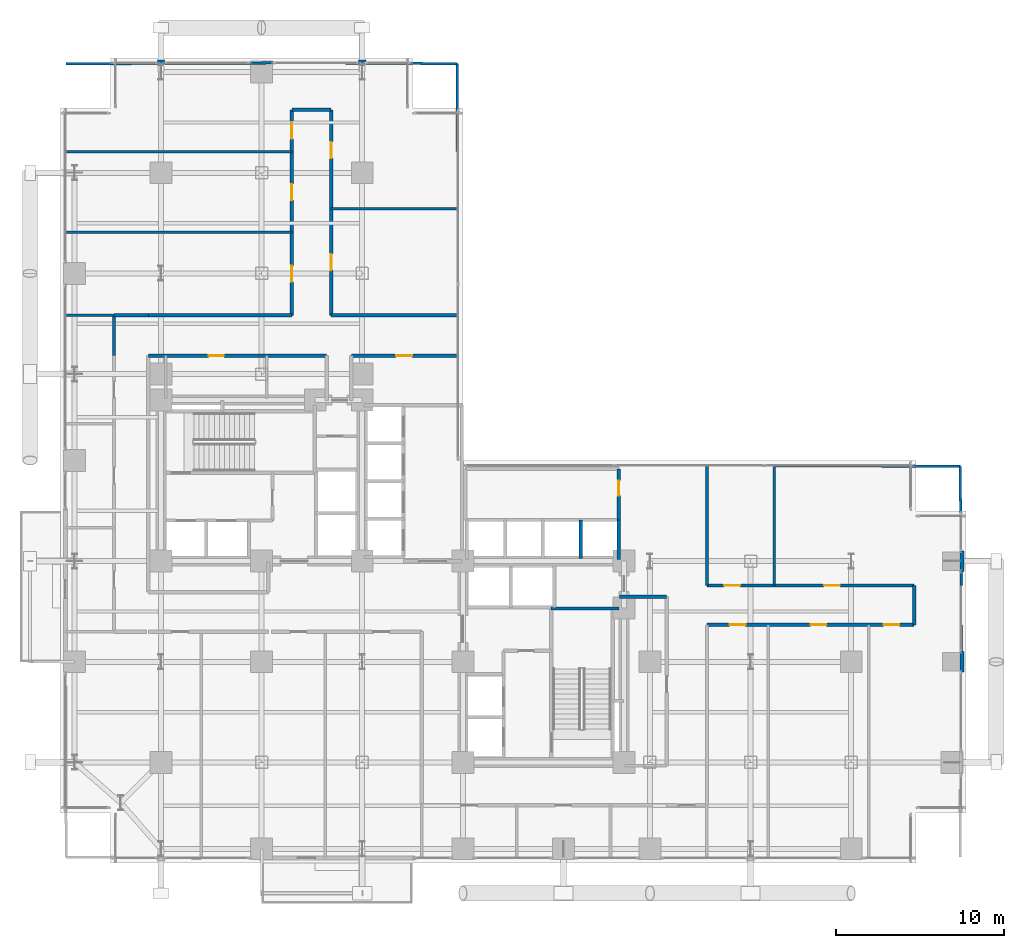
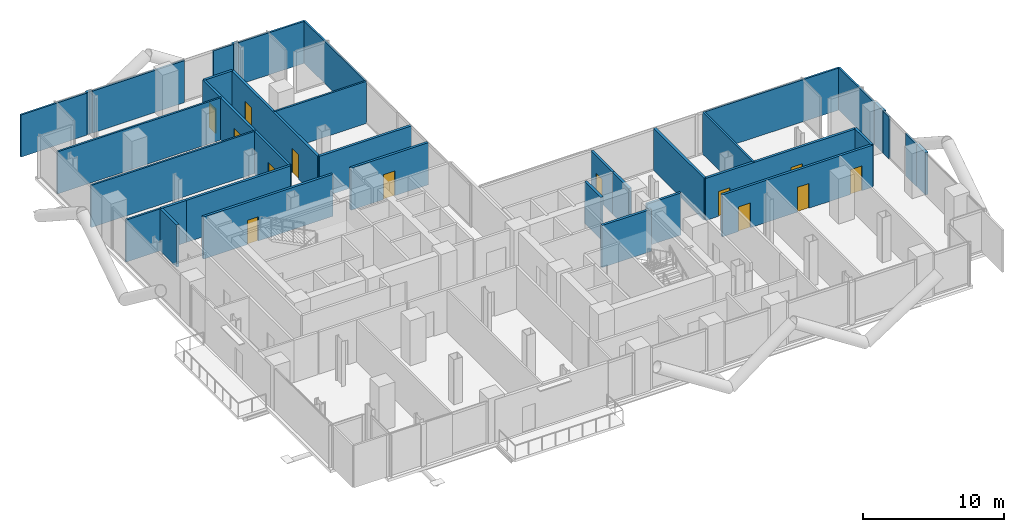
# One storey, part 22 of 25: 36 walls, 13 doors, 13 openings.
"""IFC4 building model written with IfcOpenShell, lengths in metres."""

from ifc_helpers import new_model, si_unit, direction, frame, frame_2d, origin, place, context, subcontext, project, spatial, rectangle, extrude, material, layer, layer_set, type_object, element, fill, save


model = new_model("IFC4")

# Units and contexts
model_context = context("Model", 3, precision=1e-05, world=origin(), true_north=direction((0.0, 1.0)))
body_context = subcontext(model_context, "Body", "Model", "MODEL_VIEW")
ifc_project = project(units=[si_unit("LENGTHUNIT", "METRE"), si_unit("AREAUNIT", "SQUARE_METRE"), si_unit("VOLUMEUNIT", "CUBIC_METRE"), si_unit("PLANEANGLEUNIT", "RADIAN"), si_unit("MASSUNIT", "GRAM", prefix="KILO"), si_unit("THERMODYNAMICTEMPERATUREUNIT", "KELVIN"), si_unit("POWERUNIT", "WATT")], contexts=[model_context])

# Site, building, storey
site_placement = place(None, origin())
site = spatial("IfcSite", under=ifc_project, at=site_placement, CompositionType="ELEMENT")
building_placement = place(site_placement, origin())
building = spatial("IfcBuilding", under=site, at=building_placement, Name="Svarakhadi Broadcast Tower", CompositionType="ELEMENT")
storey_placement = place(building_placement, frame((0.0, 0.0, 63.60009765625)))
storey = spatial("IfcBuildingStorey", under=building, at=storey_placement, Name="L14", CompositionType="ELEMENT", Elevation=63.60009765625)

# Walls
ifc_material_1 = material(Name="Concrete C40/50 (IS 456 M50)", Category="concrete")
ifc_layer_1 = layer(ifc_material_1, 0.239990234375)
ifc_layer_set_1 = layer_set([ifc_layer_1], Name="Concrete C40/50 (IS 456 M50)")
wall_type_1 = type_object("IfcWallType", Name="Wall_Ext_240", PredefinedType="SOLIDWALL", material=ifc_layer_set_1)
for number, where, z_axis, x_axis, name in (
    (1, (5.784912109375, 47.760009765625, 0.0), (0.0, 0.0, 1.0), (1.0, 0.0, 0.0), "L14 Perimeter Bronze Spandrel Closure Wall 01"),
    (2, (17.784912109375, 47.760009765625, 0.0), (0.0, 0.0, 1.0), (1.0, 0.0, 0.0), "L14 Perimeter Bronze Spandrel Closure Wall 02"),
):
    element("IfcWall", number, at=place(storey_placement, frame(where, z_axis=z_axis, x_axis=x_axis)), inside=storey, type_object=wall_type_1, Name=name, PredefinedType="SOLIDWALL", context=body_context, shape_type="SweptSolid", body=[
        extrude(rectangle(XDim=0.43017578125, YDim=0.239990234375, at=frame_2d((0.215087890625, 0.0))), origin(), (0.0, 0.0, 1.0), 3.64990234375),
    ])
for number, where, z_axis, x_axis, name in (
    (3, (53.760009765625, 18.614990234375, 0.0), (0.0, 0.0, 1.0), (0.0, -1.0, 0.0), "L14 Perimeter Bronze Spandrel Closure Wall 03"),
    (4, (53.760009765625, 12.614990234375, 0.0), (0.0, 0.0, 1.0), (0.0, -1.0, 0.0), "L14 Perimeter Bronze Spandrel Closure Wall 04"),
):
    element("IfcWall", number, at=place(storey_placement, frame(where, z_axis=z_axis, x_axis=x_axis)), inside=storey, type_object=wall_type_1, Name=name, PredefinedType="SOLIDWALL", context=body_context, shape_type="SweptSolid", body=[
        extrude(rectangle(XDim=1.22998046875, YDim=0.239990234375, at=frame_2d((0.614990234375, 0.0))), origin(), (0.0, 0.0, 1.0), 3.64990234375),
    ])
ifc_layer_2 = layer(ifc_material_1, 0.199951171875)
ifc_layer_set_2 = layer_set([ifc_layer_2], Name="Concrete C40/50 (IS 456 M50)")
wall_type_2 = type_object("IfcWallType", Name="Wall_Fire_200", PredefinedType="SOLIDWALL", material=ifc_layer_set_2)
wall_1_placement = place(storey_placement, frame((36.14990234375, 15.8798828125, 0.0), z_axis=(0.0, 0.0, 1.0), x_axis=(-1.0, 0.0, 0.0)))
element("IfcWall", 5, at=wall_1_placement, inside=storey, type_object=wall_type_2, Name="L14 Broadcast Corridor Wall", PredefinedType="SOLIDWALL", context=body_context, shape_type="SweptSolid", body=[
    extrude(rectangle(XDim=2.809814453125, YDim=0.199951171875, at=frame_2d((1.40478515625, 0.0))), origin(), (0.0, 0.0, 1.0), 3.64990234375),
])
wall_2_placement = place(storey_placement, frame((38.550048828125, 23.699951171875, 0.0), z_axis=(0.0, 0.0, 1.0), x_axis=(0.0, -1.0, 0.0)))
element("IfcWall", 6, at=wall_2_placement, inside=storey, type_object=wall_type_2, Name="L14 Broadcast Corridor Wall", PredefinedType="SOLIDWALL", context=body_context, shape_type="SweptSolid", body=[
    extrude(rectangle(XDim=7.14990234375, YDim=0.199951171875, at=frame_2d((3.574951171875, 0.0))), origin(), (0.0, 0.0, 1.0), 3.64990234375),
])

# Wall, openings, doors
wall_3_placement = place(storey_placement, frame((38.550048828125, 16.550048828125, 0.0), z_axis=(0.0, 0.0, 1.0), x_axis=(1.0, 0.0, 0.0)))
wall_3 = element("IfcWall", 7, at=wall_3_placement, inside=storey, type_object=wall_type_2, Name="L14 Broadcast Corridor Wall", PredefinedType="SOLIDWALL", context=body_context, shape_type="SweptSolid", body=[
    extrude(rectangle(XDim=12.349853515625, YDim=0.199951171875, at=frame_2d((6.1748046875, 0.0))), origin(), (0.0, 0.0, 1.0), 3.64990234375),
])
opening_1_placement = place(wall_3_placement, frame((1.030029296875, 0.0, 0.0)))
opening_1 = element("IfcOpeningElement", 8, at=opening_1_placement, cuts=wall_3, Name="Opening D-07", PredefinedType="OPENING", context=body_context, shape_type="SweptSolid", body=[
    extrude(rectangle(XDim=0.949951171875, YDim=2.14990234375, at=frame_2d((0.47509765625, 1.074951171875))), frame((0.0, 0.10986328125, 0.0), z_axis=(0.0, -1.0, 0.0), x_axis=(1.0, 0.0, 0.0)), (0.0, 0.0, 1.0), 0.219970703125),
])
opening_2_placement = place(wall_3_placement, frame((6.97998046875, 0.0, 0.0)))
opening_2 = element("IfcOpeningElement", 9, at=opening_2_placement, cuts=wall_3, Name="Opening D-06", PredefinedType="OPENING", context=body_context, shape_type="SweptSolid", body=[
    extrude(rectangle(XDim=0.949951171875, YDim=2.14990234375, at=frame_2d((0.47509765625, 1.074951171875))), frame((0.0, 0.10986328125, 0.0), z_axis=(0.0, -1.0, 0.0), x_axis=(1.0, 0.0, 0.0)), (0.0, 0.0, 1.0), 0.219970703125),
])
ifc_material_2 = material(Name="Solid-Core Teak Veneer Acoustic Timber Leaf", Category="wood")
door_type_1 = type_object("IfcDoorType", Name="Door_Office_D06", OperationType="SINGLE_SWING_LEFT", PredefinedType="DOOR", material=ifc_material_2)
door_1_placement = place(opening_2_placement, origin())
door_1 = element("IfcDoor", 10, at=door_1_placement, inside=storey, type_object=door_type_1, Name="L14 Broadcast Equipment Operations Room Door", OperationType="SINGLE_SWING_LEFT", OverallHeight=2.14990234375, OverallWidth=0.949951171875, PredefinedType="DOOR", context=body_context, shape_type="SweptSolid", body=[
    extrude(rectangle(XDim=0.949951171875, YDim=2.14990234375, at=frame_2d((0.47509765625, 1.074951171875))), frame((0.0, 0.02490234375, 0.0), z_axis=(0.0, -1.0, 0.0), x_axis=(1.0, 0.0, 0.0)), (0.0, 0.0, 1.0), 0.050048828125),
])
fill(opening_2, door_1)
door_type_2 = type_object("IfcDoorType", Name="Door_Office_D07", OperationType="SINGLE_SWING_RIGHT", PredefinedType="DOOR", material=ifc_material_2)
door_2_placement = place(opening_1_placement, origin())
door_2 = element("IfcDoor", 11, at=door_2_placement, inside=storey, type_object=door_type_2, Name="L14 Broadcast Acoustic Booth Door", OperationType="SINGLE_SWING_RIGHT", OverallHeight=2.14990234375, OverallWidth=0.949951171875, PredefinedType="DOOR", context=body_context, shape_type="SweptSolid", body=[
    extrude(rectangle(XDim=0.949951171875, YDim=2.14990234375, at=frame_2d((0.47509765625, 1.074951171875))), frame((0.0, 0.02490234375, 0.0), z_axis=(0.0, -1.0, 0.0), x_axis=(1.0, 0.0, 0.0)), (0.0, 0.0, 1.0), 0.050048828125),
])
fill(opening_1, door_2)

# Wall
wall_4_placement = place(storey_placement, frame((50.89990234375, 16.550048828125, 0.0), z_axis=(0.0, 0.0, 1.0), x_axis=(0.0, -1.0, 0.0)))
element("IfcWall", 12, at=wall_4_placement, inside=storey, type_object=wall_type_2, Name="L14 Broadcast Corridor Wall", PredefinedType="SOLIDWALL", context=body_context, shape_type="SweptSolid", body=[
    extrude(rectangle(XDim=2.35009765625, YDim=0.199951171875, at=frame_2d((1.175048828125, 0.0))), origin(), (0.0, 0.0, 1.0), 3.64990234375),
])

# Wall, openings, doors
wall_5_placement = place(storey_placement, frame((50.89990234375, 14.199951171875, 0.0), z_axis=(0.0, 0.0, 1.0), x_axis=(-1.0, 0.0, 0.0)))
wall_5 = element("IfcWall", 13, at=wall_5_placement, inside=storey, type_object=wall_type_2, Name="L14 Broadcast Corridor Wall", PredefinedType="SOLIDWALL", context=body_context, shape_type="SweptSolid", body=[
    extrude(rectangle(XDim=12.349853515625, YDim=0.199951171875, at=frame_2d((6.1748046875, 0.0))), origin(), (0.0, 0.0, 1.0), 3.64990234375),
])
opening_3_placement = place(wall_5_placement, frame((10.050048828125, 0.0, 0.0)))
opening_3 = element("IfcOpeningElement", 14, at=opening_3_placement, cuts=wall_5, Name="Opening D-07", PredefinedType="OPENING", context=body_context, shape_type="SweptSolid", body=[
    extrude(rectangle(XDim=0.949951171875, YDim=2.14990234375, at=frame_2d((0.47509765625, 1.074951171875))), frame((0.0, 0.10986328125, 0.0), z_axis=(0.0, -1.0, 0.0), x_axis=(1.0, 0.0, 0.0)), (0.0, 0.0, 1.0), 0.219970703125),
])
opening_4_placement = place(wall_5_placement, frame((5.22509765625, 0.0, 0.0)))
opening_4 = element("IfcOpeningElement", 15, at=opening_4_placement, cuts=wall_5, Name="Opening D-06", PredefinedType="OPENING", context=body_context, shape_type="SweptSolid", body=[
    extrude(rectangle(XDim=0.949951171875, YDim=2.14990234375, at=frame_2d((0.47509765625, 1.074951171875))), frame((0.0, 0.10986328125, 0.0), z_axis=(0.0, -1.0, 0.0), x_axis=(1.0, 0.0, 0.0)), (0.0, 0.0, 1.0), 0.219970703125),
])
opening_5_placement = place(wall_5_placement, frame((0.875, 0.0, 0.0)))
opening_5 = element("IfcOpeningElement", 16, at=opening_5_placement, cuts=wall_5, Name="Opening D-07", PredefinedType="OPENING", context=body_context, shape_type="SweptSolid", body=[
    extrude(rectangle(XDim=0.949951171875, YDim=2.14990234375, at=frame_2d((0.47509765625, 1.074951171875))), frame((0.0, 0.10986328125, 0.0), z_axis=(0.0, -1.0, 0.0), x_axis=(1.0, 0.0, 0.0)), (0.0, 0.0, 1.0), 0.219970703125),
])
door_3_placement = place(opening_4_placement, origin())
door_3 = element("IfcDoor", 17, at=door_3_placement, inside=storey, type_object=door_type_1, Name="L14 Camera Workshop Room Door", OperationType="SINGLE_SWING_LEFT", OverallHeight=2.14990234375, OverallWidth=0.949951171875, PredefinedType="DOOR", context=body_context, shape_type="SweptSolid", body=[
    extrude(rectangle(XDim=0.949951171875, YDim=2.14990234375, at=frame_2d((0.47509765625, 1.074951171875))), frame((0.0, 0.02490234375, 0.0), z_axis=(0.0, -1.0, 0.0), x_axis=(1.0, 0.0, 0.0)), (0.0, 0.0, 1.0), 0.050048828125),
])
fill(opening_4, door_3)
door_4_placement = place(opening_3_placement, origin())
door_4 = element("IfcDoor", 18, at=door_4_placement, inside=storey, type_object=door_type_2, Name="L14 Academic Faculty Office Door", OperationType="SINGLE_SWING_RIGHT", OverallHeight=2.14990234375, OverallWidth=0.949951171875, PredefinedType="DOOR", context=body_context, shape_type="SweptSolid", body=[
    extrude(rectangle(XDim=0.949951171875, YDim=2.14990234375, at=frame_2d((0.47509765625, 1.074951171875))), frame((0.0, 0.02490234375, 0.0), z_axis=(0.0, -1.0, 0.0), x_axis=(1.0, 0.0, 0.0)), (0.0, 0.0, 1.0), 0.050048828125),
])
fill(opening_3, door_4)
door_5_placement = place(opening_5_placement, origin())
door_5 = element("IfcDoor", 19, at=door_5_placement, inside=storey, type_object=door_type_2, Name="L14 Training Gear Store Door", OperationType="SINGLE_SWING_RIGHT", OverallHeight=2.14990234375, OverallWidth=0.949951171875, PredefinedType="DOOR", context=body_context, shape_type="SweptSolid", body=[
    extrude(rectangle(XDim=0.949951171875, YDim=2.14990234375, at=frame_2d((0.47509765625, 1.074951171875))), frame((0.0, 0.02490234375, 0.0), z_axis=(0.0, -1.0, 0.0), x_axis=(1.0, 0.0, 0.0)), (0.0, 0.0, 1.0), 0.050048828125),
])
fill(opening_5, door_5)

# Walls
wall_6_placement = place(storey_placement, frame((3.199951171875, 30.25, 0.0), z_axis=(0.0, 0.0, 1.0), x_axis=(0.0, 1.0, 0.0)))
element("IfcWall", 20, at=wall_6_placement, inside=storey, type_object=wall_type_2, Name="L14 Broadcast Corridor Wall", PredefinedType="SOLIDWALL", context=body_context, shape_type="SweptSolid", body=[
    extrude(rectangle(XDim=2.39990234375, YDim=0.199951171875, at=frame_2d((1.199951171875, 0.0))), origin(), (0.0, 0.0, 1.0), 3.64990234375),
])
wall_7_placement = place(storey_placement, frame((3.199951171875, 32.64990234375, 0.0), z_axis=(0.0, 0.0, 1.0), x_axis=(1.0, 0.0, 0.0)))
element("IfcWall", 21, at=wall_7_placement, inside=storey, type_object=wall_type_2, Name="L14 Broadcast Corridor Wall", PredefinedType="SOLIDWALL", context=body_context, shape_type="SweptSolid", body=[
    extrude(rectangle(XDim=2.050048828125, YDim=0.199951171875, at=frame_2d((1.02490234375, 0.0))), origin(), (0.0, 0.0, 1.0), 3.64990234375),
])
wall_8_placement = place(storey_placement, frame((5.25, 32.64990234375, 0.0), z_axis=(0.0, 0.0, 1.0), x_axis=(1.0, 0.0, 0.0)))
element("IfcWall", 22, at=wall_8_placement, inside=storey, type_object=wall_type_2, Name="L14 Broadcast Corridor Wall", PredefinedType="SOLIDWALL", context=body_context, shape_type="SweptSolid", body=[
    extrude(rectangle(XDim=8.550048828125, YDim=0.199951171875, at=frame_2d((4.27490234375, 0.0))), origin(), (0.0, 0.0, 1.0), 3.64990234375),
])

# Wall, openings, doors
wall_9_placement = place(storey_placement, frame((13.800048828125, 32.64990234375, 0.0), z_axis=(0.0, 0.0, 1.0), x_axis=(0.0, 1.0, 0.0)))
wall_9 = element("IfcWall", 23, at=wall_9_placement, inside=storey, type_object=wall_type_2, Name="L14 Broadcast Corridor Wall", PredefinedType="SOLIDWALL", context=body_context, shape_type="SweptSolid", body=[
    extrude(rectangle(XDim=12.25, YDim=0.199951171875, at=frame_2d((6.125, 0.0))), origin(), (0.0, 0.0, 1.0), 3.64990234375),
])
opening_6_placement = place(wall_9_placement, frame((2.0, 0.0, 0.0)))
opening_6 = element("IfcOpeningElement", 24, at=opening_6_placement, cuts=wall_9, Name="Opening D-07", PredefinedType="OPENING", context=body_context, shape_type="SweptSolid", body=[
    extrude(rectangle(XDim=0.949951171875, YDim=2.14990234375, at=frame_2d((0.47509765625, 1.074951171875))), frame((0.0, 0.10986328125, 0.0), z_axis=(0.0, -1.0, 0.0), x_axis=(1.0, 0.0, 0.0)), (0.0, 0.0, 1.0), 0.219970703125),
])
opening_7_placement = place(wall_9_placement, frame((6.875, 0.0, 0.0)))
opening_7 = element("IfcOpeningElement", 25, at=opening_7_placement, cuts=wall_9, Name="Opening D-06", PredefinedType="OPENING", context=body_context, shape_type="SweptSolid", body=[
    extrude(rectangle(XDim=0.949951171875, YDim=2.14990234375, at=frame_2d((0.47509765625, 1.074951171875))), frame((0.0, 0.10986328125, 0.0), z_axis=(0.0, -1.0, 0.0), x_axis=(1.0, 0.0, 0.0)), (0.0, 0.0, 1.0), 0.219970703125),
])
opening_8_placement = place(wall_9_placement, frame((10.52490234375, 0.0, 0.0)))
opening_8 = element("IfcOpeningElement", 26, at=opening_8_placement, cuts=wall_9, Name="Opening D-07", PredefinedType="OPENING", context=body_context, shape_type="SweptSolid", body=[
    extrude(rectangle(XDim=0.949951171875, YDim=2.14990234375, at=frame_2d((0.47509765625, 1.074951171875))), frame((0.0, 0.10986328125, 0.0), z_axis=(0.0, -1.0, 0.0), x_axis=(1.0, 0.0, 0.0)), (0.0, 0.0, 1.0), 0.219970703125),
])
door_6_placement = place(opening_7_placement, origin())
door_6 = element("IfcDoor", 27, at=door_6_placement, inside=storey, type_object=door_type_1, Name="L14 Delegate Coffee Lounge Door", OperationType="SINGLE_SWING_LEFT", OverallHeight=2.14990234375, OverallWidth=0.949951171875, PredefinedType="DOOR", context=body_context, shape_type="SweptSolid", body=[
    extrude(rectangle(XDim=0.949951171875, YDim=2.14990234375, at=frame_2d((0.47509765625, 1.074951171875))), frame((0.0, 0.02490234375, 0.0), z_axis=(0.0, -1.0, 0.0), x_axis=(1.0, 0.0, 0.0)), (0.0, 0.0, 1.0), 0.050048828125),
])
fill(opening_7, door_6)
door_7_placement = place(opening_6_placement, origin())
door_7 = element("IfcDoor", 28, at=door_7_placement, inside=storey, type_object=door_type_2, Name="L14 Roundtable Symposium Room Door", OperationType="SINGLE_SWING_RIGHT", OverallHeight=2.14990234375, OverallWidth=0.949951171875, PredefinedType="DOOR", context=body_context, shape_type="SweptSolid", body=[
    extrude(rectangle(XDim=0.949951171875, YDim=2.14990234375, at=frame_2d((0.47509765625, 1.074951171875))), frame((0.0, 0.02490234375, 0.0), z_axis=(0.0, -1.0, 0.0), x_axis=(1.0, 0.0, 0.0)), (0.0, 0.0, 1.0), 0.050048828125),
])
fill(opening_6, door_7)
door_8_placement = place(opening_8_placement, origin())
door_8 = element("IfcDoor", 29, at=door_8_placement, inside=storey, type_object=door_type_2, Name="L14 Media Reference Study Door", OperationType="SINGLE_SWING_RIGHT", OverallHeight=2.14990234375, OverallWidth=0.949951171875, PredefinedType="DOOR", context=body_context, shape_type="SweptSolid", body=[
    extrude(rectangle(XDim=0.949951171875, YDim=2.14990234375, at=frame_2d((0.47509765625, 1.074951171875))), frame((0.0, 0.02490234375, 0.0), z_axis=(0.0, -1.0, 0.0), x_axis=(1.0, 0.0, 0.0)), (0.0, 0.0, 1.0), 0.050048828125),
])
fill(opening_8, door_8)

# Wall
wall_10_placement = place(storey_placement, frame((13.800048828125, 44.89990234375, 0.0), z_axis=(0.0, 0.0, 1.0), x_axis=(1.0, 0.0, 0.0)))
element("IfcWall", 30, at=wall_10_placement, inside=storey, type_object=wall_type_2, Name="L14 Broadcast Corridor Wall", PredefinedType="SOLIDWALL", context=body_context, shape_type="SweptSolid", body=[
    extrude(rectangle(XDim=2.349853515625, YDim=0.199951171875, at=frame_2d((1.1748046875, 0.0))), origin(), (0.0, 0.0, 1.0), 3.64990234375),
])

# Wall, openings, doors
wall_11_placement = place(storey_placement, frame((16.14990234375, 44.89990234375, 0.0), z_axis=(0.0, 0.0, 1.0), x_axis=(0.0, -1.0, 0.0)))
wall_11 = element("IfcWall", 31, at=wall_11_placement, inside=storey, type_object=wall_type_2, Name="L14 Broadcast Corridor Wall", PredefinedType="SOLIDWALL", context=body_context, shape_type="SweptSolid", body=[
    extrude(rectangle(XDim=12.25, YDim=0.199951171875, at=frame_2d((6.125, 0.0))), origin(), (0.0, 0.0, 1.0), 3.64990234375),
])
opening_9_placement = place(wall_11_placement, frame((8.60009765625, 0.0, 0.0)))
opening_9 = element("IfcOpeningElement", 32, at=opening_9_placement, cuts=wall_11, Name="Opening D-06", PredefinedType="OPENING", context=body_context, shape_type="SweptSolid", body=[
    extrude(rectangle(XDim=0.949951171875, YDim=2.14990234375, at=frame_2d((0.47509765625, 1.074951171875))), frame((0.0, 0.10986328125, 0.0), z_axis=(0.0, -1.0, 0.0), x_axis=(1.0, 0.0, 0.0)), (0.0, 0.0, 1.0), 0.219970703125),
])
opening_10_placement = place(wall_11_placement, frame((1.929931640625, 0.0, 0.0)))
opening_10 = element("IfcOpeningElement", 33, at=opening_10_placement, cuts=wall_11, Name="Opening D-07", PredefinedType="OPENING", context=body_context, shape_type="SweptSolid", body=[
    extrude(rectangle(XDim=0.949951171875, YDim=2.14990234375, at=frame_2d((0.47509765625, 1.074951171875))), frame((0.0, 0.10986328125, 0.0), z_axis=(0.0, -1.0, 0.0), x_axis=(1.0, 0.0, 0.0)), (0.0, 0.0, 1.0), 0.219970703125),
])
door_9_placement = place(opening_9_placement, origin())
door_9 = element("IfcDoor", 34, at=door_9_placement, inside=storey, type_object=door_type_1, Name="L14 Academy Registrar Office Door", OperationType="SINGLE_SWING_LEFT", OverallHeight=2.14990234375, OverallWidth=0.949951171875, PredefinedType="DOOR", context=body_context, shape_type="SweptSolid", body=[
    extrude(rectangle(XDim=0.949951171875, YDim=2.14990234375, at=frame_2d((0.47509765625, 1.074951171875))), frame((0.0, 0.02490234375, 0.0), z_axis=(0.0, -1.0, 0.0), x_axis=(1.0, 0.0, 0.0)), (0.0, 0.0, 1.0), 0.050048828125),
])
fill(opening_9, door_9)
door_10_placement = place(opening_10_placement, origin())
door_10 = element("IfcDoor", 35, at=door_10_placement, inside=storey, type_object=door_type_2, Name="L14 Print and Bindery Store Door", OperationType="SINGLE_SWING_RIGHT", OverallHeight=2.14990234375, OverallWidth=0.949951171875, PredefinedType="DOOR", context=body_context, shape_type="SweptSolid", body=[
    extrude(rectangle(XDim=0.949951171875, YDim=2.14990234375, at=frame_2d((0.47509765625, 1.074951171875))), frame((0.0, 0.02490234375, 0.0), z_axis=(0.0, -1.0, 0.0), x_axis=(1.0, 0.0, 0.0)), (0.0, 0.0, 1.0), 0.050048828125),
])
fill(opening_10, door_10)

# Wall
wall_12_placement = place(storey_placement, frame((16.14990234375, 32.64990234375, 0.0), z_axis=(0.0, 0.0, 1.0), x_axis=(1.0, 0.0, 0.0)))
element("IfcWall", 36, at=wall_12_placement, inside=storey, type_object=wall_type_2, Name="L14 Broadcast Corridor Wall", PredefinedType="SOLIDWALL", context=body_context, shape_type="SweptSolid", body=[
    extrude(rectangle(XDim=7.550048828125, YDim=0.199951171875, at=frame_2d((3.77490234375, 0.0))), origin(), (0.0, 0.0, 1.0), 3.64990234375),
])

# Wall, opening, door
wall_13_placement = place(storey_placement, frame((23.699951171875, 30.25, 0.0), z_axis=(0.0, 0.0, 1.0), x_axis=(-1.0, 0.0, 0.0)))
wall_13 = element("IfcWall", 37, at=wall_13_placement, inside=storey, type_object=wall_type_2, Name="L14 Broadcast Corridor Wall", PredefinedType="SOLIDWALL", context=body_context, shape_type="SweptSolid", body=[
    extrude(rectangle(XDim=6.349853515625, YDim=0.199951171875, at=frame_2d((3.1748046875, 0.0))), origin(), (0.0, 0.0, 1.0), 3.64990234375),
])
opening_11_placement = place(wall_13_placement, frame((2.72509765625, 0.0, 0.0)))
opening_11 = element("IfcOpeningElement", 38, at=opening_11_placement, cuts=wall_13, Name="Opening D-06", PredefinedType="OPENING", context=body_context, shape_type="SweptSolid", body=[
    extrude(rectangle(XDim=0.949951171875, YDim=2.14990234375, at=frame_2d((0.47509765625, 1.074951171875))), frame((0.0, 0.10986328125, 0.0), z_axis=(0.0, -1.0, 0.0), x_axis=(1.0, 0.0, 0.0)), (0.0, 0.0, 1.0), 0.219970703125),
])
door_11_placement = place(opening_11_placement, origin())
door_11 = element("IfcDoor", 39, at=door_11_placement, inside=storey, type_object=door_type_1, Name="L14 Production Continuity Office Door", OperationType="SINGLE_SWING_LEFT", OverallHeight=2.14990234375, OverallWidth=0.949951171875, PredefinedType="DOOR", context=body_context, shape_type="SweptSolid", body=[
    extrude(rectangle(XDim=0.949951171875, YDim=2.14990234375, at=frame_2d((0.47509765625, 1.074951171875))), frame((0.0, 0.02490234375, 0.0), z_axis=(0.0, -1.0, 0.0), x_axis=(1.0, 0.0, 0.0)), (0.0, 0.0, 1.0), 0.050048828125),
])
fill(opening_11, door_11)

wall_14_placement = place(storey_placement, frame((15.8798828125, 30.25, 0.0), z_axis=(0.0, 0.0, 1.0), x_axis=(-1.0, 0.0, 0.0)))
wall_14 = element("IfcWall", 40, at=wall_14_placement, inside=storey, type_object=wall_type_2, Name="L14 Broadcast Corridor Wall", PredefinedType="SOLIDWALL", context=body_context, shape_type="SweptSolid", body=[
    extrude(rectangle(XDim=10.6298828125, YDim=0.199951171875, at=frame_2d((5.31494140625, 0.0))), origin(), (0.0, 0.0, 1.0), 3.64990234375),
])
opening_12_placement = place(wall_14_placement, frame((6.1298828125, 0.0, 0.0)))
opening_12 = element("IfcOpeningElement", 41, at=opening_12_placement, cuts=wall_14, Name="Opening D-13", PredefinedType="OPENING", context=body_context, shape_type="SweptSolid", body=[
    extrude(rectangle(XDim=0.89990234375, YDim=2.10009765625, at=frame_2d((0.449951171875, 1.050048828125))), frame((0.0, 0.10986328125, 0.0), z_axis=(0.0, -1.0, 0.0), x_axis=(1.0, 0.0, 0.0)), (0.0, 0.0, 1.0), 0.219970703125),
])
door_type_3 = type_object("IfcDoorType", Name="Door_Closet_D13", OperationType="SINGLE_SWING_RIGHT", PredefinedType="DOOR", material=ifc_material_2)
door_12_placement = place(opening_12_placement, origin())
door_12 = element("IfcDoor", 42, at=door_12_placement, inside=storey, type_object=door_type_3, Name="L14 Accessible Toilet WC Door", OperationType="SINGLE_SWING_RIGHT", OverallHeight=2.10009765625, OverallWidth=0.89990234375, PredefinedType="DOOR", context=body_context, shape_type="SweptSolid", body=[
    extrude(rectangle(XDim=0.89990234375, YDim=2.10009765625, at=frame_2d((0.449951171875, 1.050048828125))), frame((0.0, 0.02490234375, 0.0), z_axis=(0.0, -1.0, 0.0), x_axis=(1.0, 0.0, 0.0)), (0.0, 0.0, 1.0), 0.050048828125),
])
fill(opening_12, door_12)

# Walls
ifc_material_3 = material(Name="Autoclaved Aerated Concrete Blockwork 150 mm", Category="masonry")
ifc_layer_3 = layer(ifc_material_3, 0.14990234375)
ifc_layer_set_3 = layer_set([ifc_layer_3], Name="Autoclaved Aerated Concrete Blockwork 150 mm")
wall_type_3 = type_object("IfcWallType", Name="Wall_Part_150", PredefinedType="PARTITIONING", material=ifc_layer_set_3)
wall_15_placement = place(storey_placement, frame((53.6943359375, 12.614990234375, 0.0), z_axis=(0.0, 0.0, 1.0), x_axis=(0.003542799701, 0.999993724265, 0.0)))
element("IfcWall", 43, at=wall_15_placement, inside=storey, type_object=wall_type_3, Name="L14 Training Gear Store Wall", PredefinedType="PARTITIONING", context=body_context, shape_type="SweptSolid", body=[
    extrude(rectangle(XDim=1.5849609375, YDim=0.14990234375, at=frame_2d((0.79248046875, 0.0))), origin(), (0.0, 0.0, 1.0), 3.64990234375),
])
wall_16_placement = place(storey_placement, frame((42.550048828125, 16.550048828125, 0.0), z_axis=(0.0, 0.0, 1.0), x_axis=(0.0, 1.0, 0.0)))
element("IfcWall", 44, at=wall_16_placement, inside=storey, type_object=wall_type_3, Name="L14 Broadcast Acoustic Booth Wall", PredefinedType="PARTITIONING", context=body_context, shape_type="SweptSolid", body=[
    extrude(rectangle(XDim=7.14990234375, YDim=0.14990234375, at=frame_2d((3.574951171875, 0.0))), origin(), (0.0, 0.0, 1.0), 3.64990234375),
])
wall_17_placement = place(storey_placement, frame((42.550048828125, 23.699951171875, 0.0), z_axis=(0.0, 0.0, 1.0), x_axis=(0.999989834782, -0.004508917104, 0.0)))
element("IfcWall", 45, at=wall_17_placement, inside=storey, type_object=wall_type_3, Name="L14 Broadcast Equipment Operations Room Wall", PredefinedType="PARTITIONING", context=body_context, shape_type="SweptSolid", body=[
    extrude(rectangle(XDim=11.099853515625, YDim=0.14990234375, at=frame_2d((5.5498046875, 0.0))), origin(), (0.0, 0.0, 1.0), 3.64990234375),
])
wall_18_placement = place(storey_placement, frame((53.699951171875, 16.550048828125, 0.0), z_axis=(0.0, 0.0, 1.0), x_axis=(-0.007017371073, 0.999975377948, 0.0)))
element("IfcWall", 46, at=wall_18_placement, inside=storey, type_object=wall_type_3, Name="L14 Broadcast Equipment Operations Room Wall", PredefinedType="PARTITIONING", context=body_context, shape_type="SweptSolid", body=[
    extrude(rectangle(XDim=0.8349609375, YDim=0.14990234375, at=frame_2d((0.41748046875, 0.0))), origin(), (0.0, 0.0, 1.0), 3.64990234375),
])
wall_19_placement = place(storey_placement, frame((53.685546875, 18.614990234375, 0.0), z_axis=(0.0, 0.0, 1.0), x_axis=(-0.007079296972, 0.999974941463, 0.0)))
element("IfcWall", 47, at=wall_19_placement, inside=storey, type_object=wall_type_3, Name="L14 Broadcast Equipment Operations Room Wall", PredefinedType="PARTITIONING", context=body_context, shape_type="SweptSolid", body=[
    extrude(rectangle(XDim=5.03515625, YDim=0.14990234375, at=frame_2d((2.517578125, 0.0))), origin(), (0.0, 0.0, 1.0), 3.64990234375),
])
for number, where, z_axis, x_axis, name in (
    (48, (0.300048828125, 37.60009765625, 0.0), (0.0, 0.0, 1.0), (1.0, 0.0, 0.0), "L14 Roundtable Symposium Room Wall"),
    (49, (0.300048828125, 42.39990234375, 0.0), (0.0, 0.0, 1.0), (1.0, 0.0, 0.0), "L14 Delegate Coffee Lounge Wall"),
):
    element("IfcWall", number, at=place(storey_placement, frame(where, z_axis=z_axis, x_axis=x_axis)), inside=storey, type_object=wall_type_3, Name=name, PredefinedType="PARTITIONING", context=body_context, shape_type="SweptSolid", body=[
        extrude(rectangle(XDim=13.5, YDim=0.14990234375, at=frame_2d((6.75, 0.0))), origin(), (0.0, 0.0, 1.0), 3.64990234375),
    ])
wall_20_placement = place(storey_placement, frame((0.35009765625, 47.64990234375, 0.0), z_axis=(0.0, 0.0, 1.0), x_axis=(0.99999304924, 0.003728467862, 0.0)))
element("IfcWall", 50, at=wall_20_placement, inside=storey, type_object=wall_type_3, Name="L14 Media Reference Study Wall", PredefinedType="PARTITIONING", context=body_context, shape_type="SweptSolid", body=[
    extrude(rectangle(XDim=5.434814453125, YDim=0.14990234375, at=frame_2d((2.71728515625, 0.0))), origin(), (0.0, 0.0, 1.0), 3.64990234375),
])
wall_21_placement = place(storey_placement, frame((6.215087890625, 47.671875, 0.0), z_axis=(0.0, 0.0, 1.0), x_axis=(0.999993149305, 0.003701532515, 0.0)))
element("IfcWall", 51, at=wall_21_placement, inside=storey, type_object=wall_type_3, Name="L14 Media Reference Study Wall", PredefinedType="PARTITIONING", context=body_context, shape_type="SweptSolid", body=[
    extrude(rectangle(XDim=7.5849609375, YDim=0.14990234375, at=frame_2d((3.79248046875, 0.0))), origin(), (0.0, 0.0, 1.0), 3.64990234375),
])
wall_22_placement = place(storey_placement, frame((16.14990234375, 39.0, 0.0), z_axis=(0.0, 0.0, 1.0), x_axis=(1.0, 0.0, 0.0)))
element("IfcWall", 52, at=wall_22_placement, inside=storey, type_object=wall_type_3, Name="L14 Academy Registrar Office Wall", PredefinedType="PARTITIONING", context=body_context, shape_type="SweptSolid", body=[
    extrude(rectangle(XDim=7.550048828125, YDim=0.14990234375, at=frame_2d((3.77490234375, 0.0))), origin(), (0.0, 0.0, 1.0), 3.64990234375),
])
wall_23_placement = place(storey_placement, frame((16.14990234375, 47.699951171875, 0.0), z_axis=(0.0, 0.0, 1.0), x_axis=(0.999978417552, -0.006569964219, 0.0)))
element("IfcWall", 53, at=wall_23_placement, inside=storey, type_object=wall_type_3, Name="L14 Print and Bindery Store Wall", PredefinedType="PARTITIONING", context=body_context, shape_type="SweptSolid", body=[
    extrude(rectangle(XDim=1.635009765625, YDim=0.14990234375, at=frame_2d((0.8173828125, 0.0))), origin(), (0.0, 0.0, 1.0), 3.64990234375),
])
wall_24_placement = place(storey_placement, frame((18.215087890625, 47.686279296875, 0.0), z_axis=(0.0, 0.0, 1.0), x_axis=(0.999977600485, -0.006693170229, 0.0)))
element("IfcWall", 54, at=wall_24_placement, inside=storey, type_object=wall_type_3, Name="L14 Print and Bindery Store Wall", PredefinedType="PARTITIONING", context=body_context, shape_type="SweptSolid", body=[
    extrude(rectangle(XDim=5.434814453125, YDim=0.14990234375, at=frame_2d((2.71728515625, 0.0))), origin(), (0.0, 0.0, 1.0), 3.64990234375),
])
wall_25_placement = place(storey_placement, frame((23.699951171875, 39.0, 0.0), z_axis=(0.0, 0.0, 1.0), x_axis=(-0.005785960162, 0.999983261192, 0.0)))
element("IfcWall", 55, at=wall_25_placement, inside=storey, type_object=wall_type_3, Name="L14 Print and Bindery Store Wall", PredefinedType="PARTITIONING", context=body_context, shape_type="SweptSolid", body=[
    extrude(rectangle(XDim=8.650146484375, YDim=0.14990234375, at=frame_2d((4.3251953125, 0.0))), origin(), (0.0, 0.0, 1.0), 3.64990234375),
])
wall_26_placement = place(storey_placement, frame((0.300048828125, 32.64990234375, 0.0), z_axis=(0.0, 0.0, 1.0), x_axis=(1.0, 0.0, 0.0)))
element("IfcWall", 56, at=wall_26_placement, inside=storey, type_object=wall_type_3, Name="L14 Producer Quiet Lounge Wall", PredefinedType="PARTITIONING", context=body_context, shape_type="SweptSolid", body=[
    extrude(rectangle(XDim=2.89990234375, YDim=0.14990234375, at=frame_2d((1.449951171875, 0.0))), origin(), (0.0, 0.0, 1.0), 3.64990234375),
])
ifc_material_4 = material(Name="Concrete C50/60 (IS 456 M60)", Category="concrete")
ifc_layer_4 = layer(ifc_material_4, 0.199951171875)
ifc_layer_set_4 = layer_set([ifc_layer_4], Name="Concrete C50/60 (IS 456 M60)")
wall_type_4 = type_object("IfcWallType", Name="Wall_Shear_200", PredefinedType="SHEAR", material=ifc_layer_set_4)
wall_27_placement = place(storey_placement, frame((29.260009765625, 15.179931640625, 0.0), z_axis=(0.0, 0.0, 1.0), x_axis=(1.0, 0.0, 0.0)))
element("IfcWall", 57, at=wall_27_placement, inside=storey, type_object=wall_type_4, Name="L14 Stair ST-02 North RC Shaft Wall", PredefinedType="SHEAR", context=body_context, shape_type="SweptSolid", body=[
    extrude(rectangle(XDim=4.0400390625, YDim=0.199951171875, at=frame_2d((2.02001953125, 0.0))), origin(), (0.0, 0.0, 1.0), 3.64990234375),
])
wall_28_placement = place(storey_placement, frame((33.300048828125, 18.10009765625, 0.0), z_axis=(0.0, 0.0, 1.0), x_axis=(0.0, 1.0, 0.0)))
element("IfcWall", 58, at=wall_28_placement, inside=storey, type_object=wall_type_4, Name="L14 Bank B East Shaft Wall", PredefinedType="SHEAR", context=body_context, shape_type="SweptSolid", body=[
    extrude(rectangle(XDim=2.349853515625, YDim=0.199951171875, at=frame_2d((1.1748046875, 0.0))), origin(), (0.0, 0.0, 1.0), 3.64990234375),
])
wall_29_placement = place(storey_placement, frame((31.02001953125, 18.14990234375, 0.0), z_axis=(0.0, 0.0, 1.0), x_axis=(0.0, 1.0, 0.0)))
element("IfcWall", 59, at=wall_29_placement, inside=storey, type_object=wall_type_4, Name="L14 Bank B Divider", PredefinedType="SHEAR", context=body_context, shape_type="SweptSolid", body=[
    extrude(rectangle(XDim=2.300048828125, YDim=0.199951171875, at=frame_2d((1.14990234375, 0.0))), origin(), (0.0, 0.0, 1.0), 3.64990234375),
])

# Wall, opening, door
wall_30_placement = place(storey_placement, frame((33.300048828125, 20.449951171875, 0.0), z_axis=(0.0, 0.0, 1.0), x_axis=(0.0, 1.0, 0.0)))
wall_30 = element("IfcWall", 60, at=wall_30_placement, inside=storey, type_object=wall_type_4, Name="L14 Bank B Lift Hall East Wall", PredefinedType="SHEAR", context=body_context, shape_type="SweptSolid", body=[
    extrude(rectangle(XDim=3.050048828125, YDim=0.199951171875, at=frame_2d((1.52490234375, 0.0))), origin(), (0.0, 0.0, 1.0), 3.64990234375),
])
opening_13_placement = place(wall_30_placement, frame((1.449951171875, 0.0, 0.0)))
opening_13 = element("IfcOpeningElement", 61, at=opening_13_placement, cuts=wall_30, Name="Opening D-04", PredefinedType="OPENING", context=body_context, shape_type="SweptSolid", body=[
    extrude(rectangle(XDim=0.89990234375, YDim=2.14990234375, at=frame_2d((0.449951171875, 1.074951171875))), frame((0.0, 0.10986328125, 0.0), z_axis=(0.0, -1.0, 0.0), x_axis=(1.0, 0.0, 0.0)), (0.0, 0.0, 1.0), 0.219970703125),
])
ifc_material_5 = material(Name="Galvanised Powder-Coated Fire-Rated Steel Leaf", Category="steel")
door_type_4 = type_object("IfcDoorType", Name="Door_Fire_D04", OperationType="SINGLE_SWING_RIGHT", PredefinedType="DOOR", material=ifc_material_5)
door_13_placement = place(opening_13_placement, origin())
door_13 = element("IfcDoor", 62, at=door_13_placement, inside=storey, type_object=door_type_4, Name="L14 Mid-Rise Lift Hall East Corridor Door", OperationType="SINGLE_SWING_RIGHT", OverallHeight=2.14990234375, OverallWidth=0.89990234375, PredefinedType="DOOR", context=body_context, shape_type="SweptSolid", body=[
    extrude(rectangle(XDim=0.89990234375, YDim=2.14990234375, at=frame_2d((0.449951171875, 1.074951171875))), frame((0.0, 0.02490234375, 0.0), z_axis=(0.0, -1.0, 0.0), x_axis=(1.0, 0.0, 0.0)), (0.0, 0.0, 1.0), 0.050048828125),
])
fill(opening_13, door_13)

save(model, "model.ifc")
